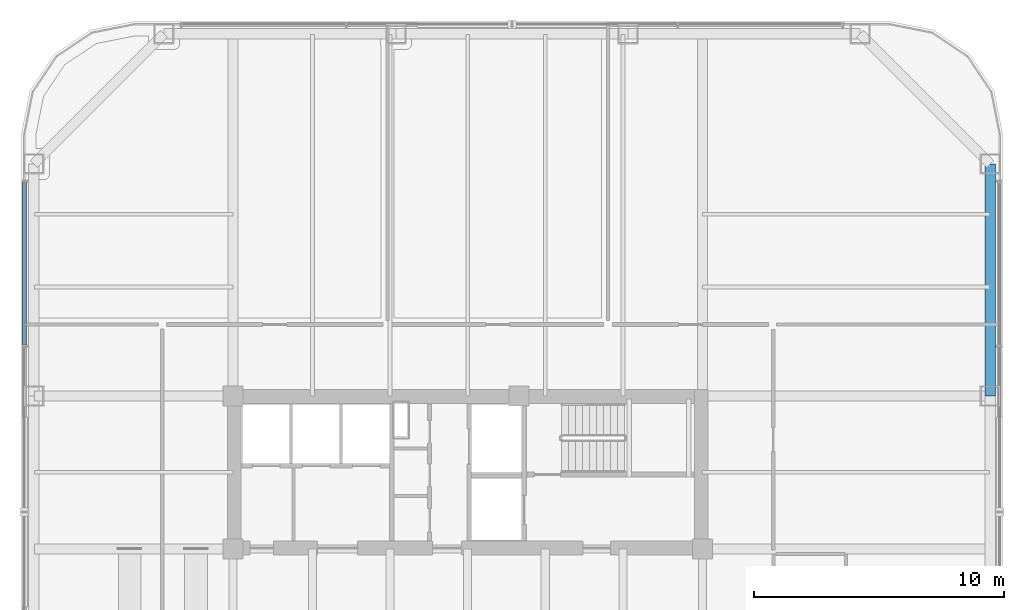
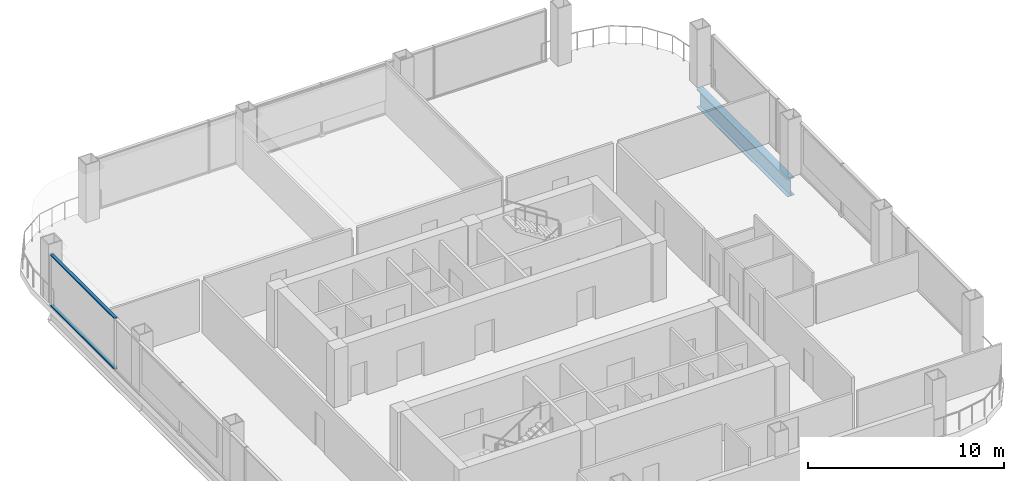
# One storey, part 9 of 20: 2 members, 1 beam, 1 element without a shape of its own.
"""IFC4 building model written with IfcOpenShell, lengths in metres."""

from ifc_helpers import new_model, si_unit, direction, frame, origin, origin_2d, place, context, subcontext, project, spatial, hollow_rectangle, i_section, extrude, material, layer, layer_set, material_profile, profile_set, type_object, element, aggregate, save


model = new_model("IFC4")

# Units and contexts
model_context = context("Model", 3, precision=1e-05, world=origin(), true_north=direction((0.0, 1.0)))
body_context = subcontext(model_context, "Body", "Model", "MODEL_VIEW")
ifc_project = project(units=[si_unit("LENGTHUNIT", "METRE"), si_unit("AREAUNIT", "SQUARE_METRE"), si_unit("VOLUMEUNIT", "CUBIC_METRE"), si_unit("PLANEANGLEUNIT", "RADIAN"), si_unit("MASSUNIT", "GRAM", prefix="KILO")], contexts=[model_context])

# Site, building, storey
site_placement = place(None, origin())
site = spatial("IfcSite", under=ifc_project, at=site_placement, CompositionType="ELEMENT")
building_placement = place(site_placement, origin())
building = spatial("IfcBuilding", under=site, at=building_placement, Name="Qhalaya Broadcast Tower", CompositionType="ELEMENT")
storey_placement = place(building_placement, frame((0.0, 0.0, 104.85009765625)))
storey = spatial("IfcBuildingStorey", under=building, at=storey_placement, Name="L30", CompositionType="ELEMENT", Elevation=104.85009765625)

# Beam
ifc_material_1 = material(Name="Structural Steel ASTM A992 Grade 50", Category="steel")
ifc_material_profile_1 = material_profile(ifc_material_1, i_section(OverallWidth=0.404052734375, OverallDepth=1.117919921875, WebThickness=0.026123046875, FlangeThickness=0.044921875, at=origin_2d()), Name="W44X335")
ifc_profile_set_1 = profile_set([ifc_material_profile_1], Name="Structural Steel ASTM A992 Grade 50")
beam_type = type_object("IfcBeamType", Name="Podium Long-Span Primary Girder PG1", PredefinedType="USERDEFINED", material=ifc_profile_set_1)
beam_placement = place(storey_placement, frame((20.8701171875, 9.943359375, -0.939208984375), z_axis=(0.0, 1.0, 0.0), x_axis=(-1.0, 0.0, 0.0)))
element("IfcBeam", 1, at=beam_placement, inside=storey, type_object=beam_type, Name="L30 PG1 L30-SPR-07", ObjectType="GIRDER", PredefinedType="USERDEFINED", context=body_context, shape_type="SweptSolid", body=[
    extrude(i_section(OverallWidth=0.404052734375, OverallDepth=1.117919921875, WebThickness=0.026123046875, FlangeThickness=0.044921875, at=origin_2d()), origin(), (0.0, 0.0, 1.0), 9.2666015625),
])

# Curtain wall, members
ifc_material_2 = material(Name="Solar-Control Low-E Triple Glazing", Category="glass")
ifc_layer = layer(ifc_material_2, 0.219970703125, Name="Solar-Control Low-E Triple Glazing")
ifc_layer_set = layer_set([ifc_layer], Name="Solar-Control Low-E Triple Glazing")
curtain_wall_type = type_object("IfcCurtainWallType", Name="Recessed Sky-Garden Neck Ribbon Curtain Wall CW-05", PredefinedType="NOTDEFINED", material=ifc_layer_set)
curtain_wall_placement = place(storey_placement, origin())
curtain_wall = element("IfcCurtainWall", 2, at=curtain_wall_placement, inside=storey, type_object=curtain_wall_type, Name="L30 Unitised Curtain Wall L30-CW-W", PredefinedType="NOTDEFINED")
ifc_material_3 = material(Name="Anodised Aluminium 6063-T6", Category="aluminium")
ifc_material_profile_2 = material_profile(ifc_material_3, hollow_rectangle(XDim=0.074951171875, YDim=0.179931640625, WallThickness=0.00390625, at=origin_2d()), Name="ALU-TRN 75x180x4")
ifc_profile_set_2 = profile_set([ifc_material_profile_2], Name="Anodised Aluminium 6063-T6")
member_type = type_object("IfcMemberType", Name="Unitised Curtain-Wall Transom T01", PredefinedType="USERDEFINED", material=ifc_profile_set_2)
member_1_placement = place(storey_placement, frame((-17.7099609375, 18.485107421875, 0.037353515625), z_axis=(0.0, -1.0, 0.0), x_axis=(0.0, 0.0, 1.0)))
member_1 = element("IfcMember", 3, at=member_1_placement, type_object=member_type, Name="CW-05 transom 1.1", ObjectType="TRANSOM", PredefinedType="USERDEFINED", context=body_context, shape_type="SweptSolid", body=[
    extrude(hollow_rectangle(XDim=0.074951171875, YDim=0.179931640625, WallThickness=0.00390625, at=origin_2d()), origin(), (0.0, 0.0, 1.0), 6.5126953125),
])
member_2_placement = place(storey_placement, frame((-17.7099609375, 18.485107421875, 3.182373046875), z_axis=(0.0, -1.0, 0.0), x_axis=(0.0, 0.0, 1.0)))
member_2 = element("IfcMember", 4, at=member_2_placement, type_object=member_type, Name="CW-05 transom 1.2", ObjectType="TRANSOM", PredefinedType="USERDEFINED", context=body_context, shape_type="SweptSolid", body=[
    extrude(hollow_rectangle(XDim=0.074951171875, YDim=0.179931640625, WallThickness=0.00390625, at=origin_2d()), origin(), (0.0, 0.0, 1.0), 6.5126953125),
])
aggregate(curtain_wall, [member_1, member_2])

save(model, "model.ifc")
